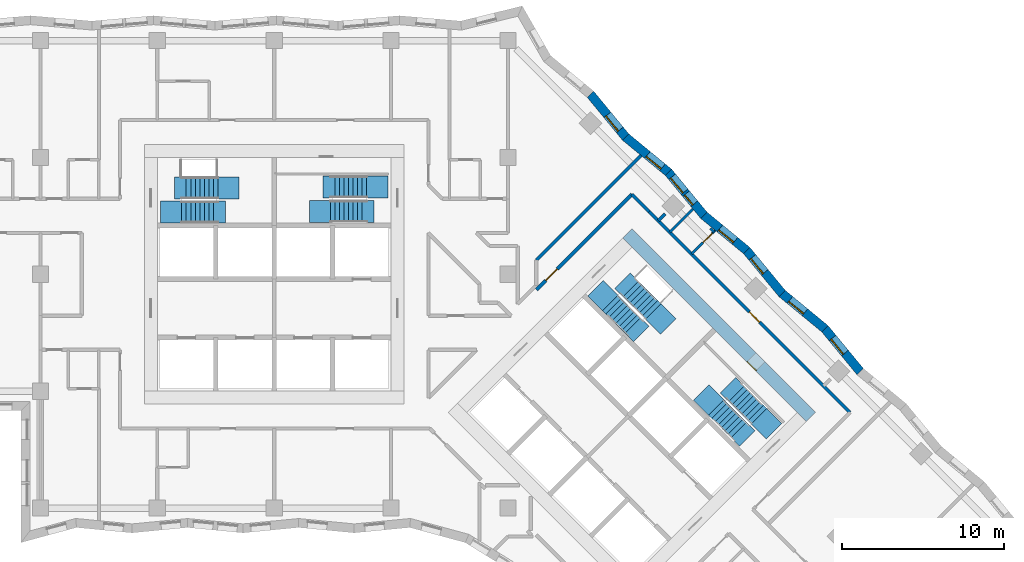
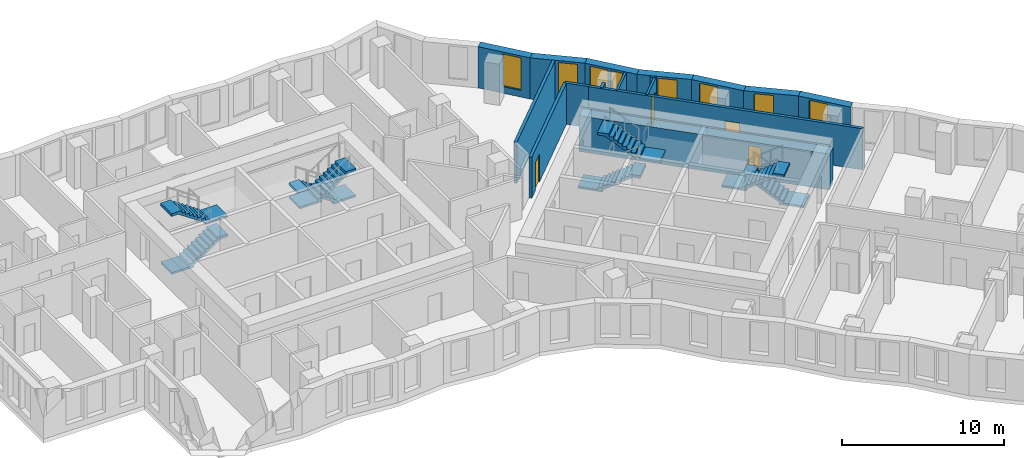
# One storey, part 10 of 12: 16 walls, 8 stair flights, 8 windows, 4 doors, 12 openings, 4 elements without a shape of their own.
"""IFC4 building model written with IfcOpenShell, lengths in metres."""

from ifc_helpers import new_model, si_unit, direction, frame, frame_2d, origin, place, context, subcontext, project, spatial, polyline, rectangle, outline, extrude, material, layer, layer_set, type_object, element, fill, aggregate, save


model = new_model("IFC4")

# Units and contexts
model_context = context("Model", 3, precision=1e-05, world=origin(), true_north=direction((0.0, 1.0)))
body_context = subcontext(model_context, "Body", "Model", "MODEL_VIEW")
ifc_project = project(units=[si_unit("LENGTHUNIT", "METRE"), si_unit("AREAUNIT", "SQUARE_METRE"), si_unit("VOLUMEUNIT", "CUBIC_METRE"), si_unit("PLANEANGLEUNIT", "RADIAN"), si_unit("MASSUNIT", "GRAM", prefix="KILO")], contexts=[model_context])

# Site, building, storey
site_placement = place(None, origin())
site = spatial("IfcSite", under=ifc_project, at=site_placement, CompositionType="ELEMENT")
building_placement = place(site_placement, origin())
building = spatial("IfcBuilding", under=site, at=building_placement, Name="Windrow Commons", CompositionType="ELEMENT")
storey_placement = place(building_placement, frame((0.0, 0.0, 84.6)))
storey = spatial("IfcBuildingStorey", under=building, at=storey_placement, Name="L22", CompositionType="ELEMENT", Elevation=84.6)

# Wall, opening, window
ifc_material_1 = material(Name="Brick masonry, red clay brick", Category="masonry")
ifc_layer_1 = layer(ifc_material_1, 0.55)
ifc_layer_set_1 = layer_set([ifc_layer_1], Name="Brick facade wall 550")
wall_type_1 = type_object("IfcWallType", Name="Brick facade wall 550", PredefinedType="SOLIDWALL", material=ifc_layer_set_1)
wall_1_placement = place(storey_placement, frame((100.9042, 51.6021, 0.0), z_axis=(0.0, 0.0, 1.0), x_axis=(-0.6356171067, 0.7720044648, 0.0)))
wall_1 = element("IfcWall", 1, at=wall_1_placement, inside=storey, type_object=wall_type_1, Name="Brick facade wall L22 12", PredefinedType="SOLIDWALL", context=body_context, shape_type="SweptSolid", body=[
    extrude(outline(polyline([(0.0266, -0.275), (3.4485, -0.275), (3.3952, 0.275), (-0.0266, 0.275), (0.0266, -0.275)])), origin(), (0.0, 0.0, 1.0), 3.1),
])
opening_1_placement = place(wall_1_placement, frame((1.4852, 0.0, 0.5)))
opening_1 = element("IfcOpeningElement", 2, at=opening_1_placement, cuts=wall_1, Name="Opening W7D", PredefinedType="OPENING", context=body_context, shape_type="SweptSolid", body=[
    extrude(rectangle(XDim=1.2, YDim=2.45, at=frame_2d((0.6, 1.225))), frame((0.0, 0.285, 0.0), z_axis=(0.0, -1.0, 0.0), x_axis=(1.0, 0.0, 0.0)), (0.0, 0.0, 1.0), 0.57),
])
ifc_material_2 = material(Name="Clear float glass in anodised aluminium frame", Category="aluminium")
window_type_1 = type_object("IfcWindowType", Name="Window W7 notch 1200x2450", PartitioningType="SINGLE_PANEL", PredefinedType="WINDOW", material=ifc_material_2)
window_1_placement = place(opening_1_placement, origin())
window_1 = element("IfcWindow", 3, at=window_1_placement, inside=storey, type_object=window_type_1, Name="Window L22 12.1", OverallHeight=2.45, OverallWidth=1.2, PartitioningType="SINGLE_PANEL", PredefinedType="WINDOW", context=body_context, shape_type="SweptSolid", body=[
    extrude(rectangle(XDim=1.2, YDim=2.45, at=frame_2d((0.6, 1.225))), frame((0.0, 0.155, 0.0), z_axis=(0.0, -1.0, 0.0), x_axis=(1.0, 0.0, 0.0)), (0.0, 0.0, 1.0), 0.06),
])
fill(opening_1, window_1)

wall_2_placement = place(storey_placement, frame((98.7292, 54.2438, 0.0), z_axis=(0.0, 0.0, 1.0), x_axis=(-0.7720044648, 0.6356171067, 0.0)))
wall_2 = element("IfcWall", 4, at=wall_2_placement, inside=storey, type_object=wall_type_1, Name="Brick facade wall L22 13", PredefinedType="SOLIDWALL", context=body_context, shape_type="SweptSolid", body=[
    extrude(outline(polyline([(-0.0266, -0.275), (3.3952, -0.275), (3.4485, 0.275), (0.0266, 0.275), (-0.0266, -0.275)])), origin(), (0.0, 0.0, 1.0), 3.1),
])
opening_2_placement = place(wall_2_placement, frame((1.596, 0.0, 0.5)))
opening_2 = element("IfcOpeningElement", 5, at=opening_2_placement, cuts=wall_2, Name="Opening W7D", PredefinedType="OPENING", context=body_context, shape_type="SweptSolid", body=[
    extrude(rectangle(XDim=1.2, YDim=2.45, at=frame_2d((0.6, 1.225))), frame((0.0, 0.285, 0.0), z_axis=(0.0, -1.0, 0.0), x_axis=(1.0, 0.0, 0.0)), (0.0, 0.0, 1.0), 0.57),
])
window_2_placement = place(opening_2_placement, origin())
window_2 = element("IfcWindow", 6, at=window_2_placement, inside=storey, type_object=window_type_1, Name="Window L22 13.1", OverallHeight=2.45, OverallWidth=1.2, PartitioningType="SINGLE_PANEL", PredefinedType="WINDOW", context=body_context, shape_type="SweptSolid", body=[
    extrude(rectangle(XDim=1.2, YDim=2.45, at=frame_2d((0.6, 1.225))), frame((0.0, 0.155, 0.0), z_axis=(0.0, -1.0, 0.0), x_axis=(1.0, 0.0, 0.0)), (0.0, 0.0, 1.0), 0.06),
])
fill(opening_2, window_2)

wall_3_placement = place(storey_placement, frame((96.0875, 56.4188, 0.0), z_axis=(0.0, 0.0, 1.0), x_axis=(-0.6356140296, 0.7720069983, 0.0)))
wall_3 = element("IfcWall", 7, at=wall_3_placement, inside=storey, type_object=wall_type_1, Name="Brick facade wall L22 14", PredefinedType="SOLIDWALL", context=body_context, shape_type="SweptSolid", body=[
    extrude(outline(polyline([(0.0266, -0.275), (3.4485, -0.275), (3.3952, 0.275), (-0.0266, 0.275), (0.0266, -0.275)])), origin(), (0.0, 0.0, 1.0), 3.1),
])
opening_3_placement = place(wall_3_placement, frame((1.6802, 0.0, 0.5)))
opening_3 = element("IfcOpeningElement", 8, at=opening_3_placement, cuts=wall_3, Name="Opening W7D", PredefinedType="OPENING", context=body_context, shape_type="SweptSolid", body=[
    extrude(rectangle(XDim=1.2, YDim=2.45, at=frame_2d((0.6, 1.225))), frame((0.0, 0.285, 0.0), z_axis=(0.0, -1.0, 0.0), x_axis=(1.0, 0.0, 0.0)), (0.0, 0.0, 1.0), 0.57),
])
window_3_placement = place(opening_3_placement, origin())
window_3 = element("IfcWindow", 9, at=window_3_placement, inside=storey, type_object=window_type_1, Name="Window L22 14.1", OverallHeight=2.45, OverallWidth=1.2, PartitioningType="SINGLE_PANEL", PredefinedType="WINDOW", context=body_context, shape_type="SweptSolid", body=[
    extrude(rectangle(XDim=1.2, YDim=2.45, at=frame_2d((0.6, 1.225))), frame((0.0, 0.155, 0.0), z_axis=(0.0, -1.0, 0.0), x_axis=(1.0, 0.0, 0.0)), (0.0, 0.0, 1.0), 0.06),
])
fill(opening_3, window_3)

wall_4_placement = place(storey_placement, frame((93.9126, 59.0604, 0.0), z_axis=(0.0, 0.0, 1.0), x_axis=(-0.7720044648, 0.6356171067, 0.0)))
wall_4 = element("IfcWall", 10, at=wall_4_placement, inside=storey, type_object=wall_type_1, Name="Brick facade wall L22 15", PredefinedType="SOLIDWALL", context=body_context, shape_type="SweptSolid", body=[
    extrude(outline(polyline([(-0.0266, -0.275), (3.3952, -0.275), (3.4485, 0.275), (0.0266, 0.275), (-0.0266, -0.275)])), origin(), (0.0, 0.0, 1.0), 3.1),
])
opening_4_placement = place(wall_4_placement, frame((0.9411, 0.0, 0.5)))
opening_4 = element("IfcOpeningElement", 11, at=opening_4_placement, cuts=wall_4, Name="Opening W7D", PredefinedType="OPENING", context=body_context, shape_type="SweptSolid", body=[
    extrude(rectangle(XDim=1.2, YDim=2.45, at=frame_2d((0.6, 1.225))), frame((0.0, 0.285, 0.0), z_axis=(0.0, -1.0, 0.0), x_axis=(1.0, 0.0, 0.0)), (0.0, 0.0, 1.0), 0.57),
])
window_4_placement = place(opening_4_placement, origin())
window_4 = element("IfcWindow", 12, at=window_4_placement, inside=storey, type_object=window_type_1, Name="Window L22 15.1", OverallHeight=2.45, OverallWidth=1.2, PartitioningType="SINGLE_PANEL", PredefinedType="WINDOW", context=body_context, shape_type="SweptSolid", body=[
    extrude(rectangle(XDim=1.2, YDim=2.45, at=frame_2d((0.6, 1.225))), frame((0.0, 0.155, 0.0), z_axis=(0.0, -1.0, 0.0), x_axis=(1.0, 0.0, 0.0)), (0.0, 0.0, 1.0), 0.06),
])
fill(opening_4, window_4)

# Wall, openings, windows
wall_5_placement = place(storey_placement, frame((91.2709, 61.2354, 0.0), z_axis=(0.0, 0.0, 1.0), x_axis=(-0.6356171067, 0.7720044648, 0.0)))
wall_5 = element("IfcWall", 13, at=wall_5_placement, inside=storey, type_object=wall_type_1, Name="Brick facade wall L22 16", PredefinedType="SOLIDWALL", context=body_context, shape_type="SweptSolid", body=[
    extrude(outline(polyline([(0.0266, -0.275), (3.4485, -0.275), (3.3952, 0.275), (-0.0266, 0.275), (0.0266, -0.275)])), origin(), (0.0, 0.0, 1.0), 3.1),
])
opening_5_placement = place(wall_5_placement, frame((1.8752, 0.0, 0.5)))
opening_5 = element("IfcOpeningElement", 14, at=opening_5_placement, cuts=wall_5, Name="Opening W7D", PredefinedType="OPENING", context=body_context, shape_type="SweptSolid", body=[
    extrude(rectangle(XDim=1.2, YDim=2.45, at=frame_2d((0.6, 1.225))), frame((0.0, 0.285, 0.0), z_axis=(0.0, -1.0, 0.0), x_axis=(1.0, 0.0, 0.0)), (0.0, 0.0, 1.0), 0.57),
])
opening_6_placement = place(wall_5_placement, frame((0.9246, 0.0, 0.45)))
opening_6 = element("IfcOpeningElement", 15, at=opening_6_placement, cuts=wall_5, Name="Opening W1N", PredefinedType="OPENING", context=body_context, shape_type="SweptSolid", body=[
    extrude(rectangle(XDim=0.8, YDim=2.5, at=frame_2d((0.4, 1.25))), frame((0.0, 0.285, 0.0), z_axis=(0.0, -1.0, 0.0), x_axis=(1.0, 0.0, 0.0)), (0.0, 0.0, 1.0), 0.57),
])
ifc_material_3 = material(Name="Clear float glass in anodised aluminium frame", Category="aluminium")
window_type_2 = type_object("IfcWindowType", Name="Window W1N slit 800x2500", PartitioningType="SINGLE_PANEL", PredefinedType="WINDOW", material=ifc_material_3)
window_5_placement = place(opening_6_placement, origin())
window_5 = element("IfcWindow", 16, at=window_5_placement, inside=storey, type_object=window_type_2, Name="Window L22 16.1A", OverallHeight=2.5, OverallWidth=0.8, PartitioningType="SINGLE_PANEL", PredefinedType="WINDOW", context=body_context, shape_type="SweptSolid", body=[
    extrude(rectangle(XDim=0.8, YDim=2.5, at=frame_2d((0.4, 1.25))), frame((0.0, 0.155, 0.0), z_axis=(0.0, -1.0, 0.0), x_axis=(1.0, 0.0, 0.0)), (0.0, 0.0, 1.0), 0.06),
])
fill(opening_6, window_5)
window_6_placement = place(opening_5_placement, origin())
window_6 = element("IfcWindow", 17, at=window_6_placement, inside=storey, type_object=window_type_1, Name="Window L22 16.2", OverallHeight=2.45, OverallWidth=1.2, PartitioningType="SINGLE_PANEL", PredefinedType="WINDOW", context=body_context, shape_type="SweptSolid", body=[
    extrude(rectangle(XDim=1.2, YDim=2.45, at=frame_2d((0.6, 1.225))), frame((0.0, 0.155, 0.0), z_axis=(0.0, -1.0, 0.0), x_axis=(1.0, 0.0, 0.0)), (0.0, 0.0, 1.0), 0.06),
])
fill(opening_5, window_6)

# Wall, opening, window
wall_6_placement = place(storey_placement, frame((89.0959, 63.8771, 0.0), z_axis=(0.0, 0.0, 1.0), x_axis=(-0.7719926577, 0.635631447, 0.0)))
wall_6 = element("IfcWall", 18, at=wall_6_placement, inside=storey, type_object=wall_type_1, Name="Brick facade wall L22 17", PredefinedType="SOLIDWALL", context=body_context, shape_type="SweptSolid", body=[
    extrude(outline(polyline([(-0.0266, -0.275), (3.3952, -0.275), (3.4485, 0.275), (0.0266, 0.275), (-0.0266, -0.275)])), origin(), (0.0, 0.0, 1.0), 3.1),
])
opening_7_placement = place(wall_6_placement, frame((0.4885, 0.0, 0.5)))
opening_7 = element("IfcOpeningElement", 19, at=opening_7_placement, cuts=wall_6, Name="Opening W7D", PredefinedType="OPENING", context=body_context, shape_type="SweptSolid", body=[
    extrude(rectangle(XDim=1.2, YDim=2.45, at=frame_2d((0.6, 1.225))), frame((0.0, 0.285, 0.0), z_axis=(0.0, -1.0, 0.0), x_axis=(1.0, 0.0, 0.0)), (0.0, 0.0, 1.0), 0.57),
])
window_7_placement = place(opening_7_placement, origin())
window_7 = element("IfcWindow", 20, at=window_7_placement, inside=storey, type_object=window_type_1, Name="Window L22 17.1", OverallHeight=2.45, OverallWidth=1.2, PartitioningType="SINGLE_PANEL", PredefinedType="WINDOW", context=body_context, shape_type="SweptSolid", body=[
    extrude(rectangle(XDim=1.2, YDim=2.45, at=frame_2d((0.6, 1.225))), frame((0.0, 0.155, 0.0), z_axis=(0.0, -1.0, 0.0), x_axis=(1.0, 0.0, 0.0)), (0.0, 0.0, 1.0), 0.06),
])
fill(opening_7, window_7)

wall_7_placement = place(storey_placement, frame((86.4543, 66.0521, 0.0), z_axis=(0.0, 0.0, 1.0), x_axis=(-0.635631447, 0.7719926577, 0.0)))
wall_7 = element("IfcWall", 21, at=wall_7_placement, inside=storey, type_object=wall_type_1, Name="Brick facade wall L22 18", PredefinedType="SOLIDWALL", context=body_context, shape_type="SweptSolid", body=[
    extrude(outline(polyline([(0.0266, -0.275), (3.4485, -0.275), (3.3952, 0.275), (-0.0266, 0.275), (0.0266, -0.275)])), origin(), (0.0, 0.0, 1.0), 3.1),
])
opening_8_placement = place(wall_7_placement, frame((0.5727, 0.0, 0.5)))
opening_8 = element("IfcOpeningElement", 22, at=opening_8_placement, cuts=wall_7, Name="Opening W7D", PredefinedType="OPENING", context=body_context, shape_type="SweptSolid", body=[
    extrude(rectangle(XDim=1.2, YDim=2.45, at=frame_2d((0.6, 1.225))), frame((0.0, 0.285, 0.0), z_axis=(0.0, -1.0, 0.0), x_axis=(1.0, 0.0, 0.0)), (0.0, 0.0, 1.0), 0.57),
])
window_8_placement = place(opening_8_placement, origin())
window_8 = element("IfcWindow", 23, at=window_8_placement, inside=storey, type_object=window_type_1, Name="Window L22 18.1", OverallHeight=2.45, OverallWidth=1.2, PartitioningType="SINGLE_PANEL", PredefinedType="WINDOW", context=body_context, shape_type="SweptSolid", body=[
    extrude(rectangle(XDim=1.2, YDim=2.45, at=frame_2d((0.6, 1.225))), frame((0.0, 0.155, 0.0), z_axis=(0.0, -1.0, 0.0), x_axis=(1.0, 0.0, 0.0)), (0.0, 0.0, 1.0), 0.06),
])
fill(opening_8, window_8)

# Wall, opening, door
ifc_material_4 = material(Name="Blockwork partition", Category="masonry")
ifc_layer_2 = layer(ifc_material_4, 0.2)
ifc_layer_set_2 = layer_set([ifc_layer_2], Name="IW-CORRIDOR-200")
wall_type_2 = type_object("IfcWallType", Name="IW-CORRIDOR-200", PredefinedType="PARTITIONING", material=ifc_layer_set_2)
wall_8_placement = place(storey_placement, frame((87.8945, 61.4605, 0.0), z_axis=(0.0, 0.0, 1.0), x_axis=(0.7071067812, -0.7071067812, 0.0)))
wall_8 = element("IfcWall", 24, at=wall_8_placement, inside=storey, type_object=wall_type_2, Name="W-L22-W004", PredefinedType="PARTITIONING", context=body_context, shape_type="SweptSolid", body=[
    extrude(rectangle(XDim=17.4995, YDim=0.2, at=frame_2d((8.7498, 0.0))), origin(), (0.0, 0.0, 1.0), 3.1),
])
opening_9_placement = place(wall_8_placement, frame((8.7345, 0.0, 0.0)))
opening_9 = element("IfcOpeningElement", 25, at=opening_9_placement, cuts=wall_8, Name="Opening D109F", PredefinedType="OPENING", context=body_context, shape_type="SweptSolid", body=[
    extrude(rectangle(XDim=0.9, YDim=2.1, at=frame_2d((0.45, 1.05))), frame((0.0, 0.11, 0.0), z_axis=(0.0, -1.0, 0.0), x_axis=(1.0, 0.0, 0.0)), (0.0, 0.0, 1.0), 0.22),
])
ifc_material_5 = material(Name="Timber door leaf", Category="wood")
door_type_1 = type_object("IfcDoorType", Name="DT-BEDROOM-900", OperationType="SINGLE_SWING_LEFT", PredefinedType="DOOR", material=ifc_material_5)
door_1_placement = place(opening_9_placement, origin())
door_1 = element("IfcDoor", 26, at=door_1_placement, inside=storey, type_object=door_type_1, Name="D-L22-D039", OperationType="SINGLE_SWING_LEFT", OverallHeight=2.1, OverallWidth=0.9, PredefinedType="DOOR", context=body_context, shape_type="SweptSolid", body=[
    extrude(rectangle(XDim=0.9, YDim=2.1, at=frame_2d((0.45, 1.05))), frame((0.0, 0.025, 0.0), z_axis=(0.0, -1.0, 0.0), x_axis=(1.0, 0.0, 0.0)), (0.0, 0.0, 1.0), 0.05),
])
fill(opening_9, door_1)

wall_9_placement = place(storey_placement, frame((80.9512, 56.6408, 0.0), z_axis=(0.0, 0.0, 1.0), x_axis=(0.7071067812, 0.7071067812, 0.0)))
wall_9 = element("IfcWall", 27, at=wall_9_placement, inside=storey, type_object=wall_type_2, Name="W-L22-W011", PredefinedType="PARTITIONING", context=body_context, shape_type="SweptSolid", body=[
    extrude(rectangle(XDim=8.3212, YDim=0.2, at=frame_2d((4.1606, 0.0))), origin(), (0.0, 0.0, 1.0), 3.1),
])
opening_10_placement = place(wall_9_placement, frame((0.8162, 0.0, 0.0)))
opening_10 = element("IfcOpeningElement", 28, at=opening_10_placement, cuts=wall_9, Name="Opening D310F", PredefinedType="OPENING", context=body_context, shape_type="SweptSolid", body=[
    extrude(rectangle(XDim=1.0, YDim=2.1, at=frame_2d((0.5, 1.05))), frame((0.0, 0.11, 0.0), z_axis=(0.0, -1.0, 0.0), x_axis=(1.0, 0.0, 0.0)), (0.0, 0.0, 1.0), 0.22),
])
ifc_material_6 = material(Name="Timber door leaf", Category="wood")
door_type_2 = type_object("IfcDoorType", Name="DT-AMENITY-1000", OperationType="SINGLE_SWING_LEFT", PredefinedType="DOOR", material=ifc_material_6)
door_2_placement = place(opening_10_placement, origin())
door_2 = element("IfcDoor", 29, at=door_2_placement, inside=storey, type_object=door_type_2, Name="D-L22-D038", OperationType="SINGLE_SWING_RIGHT", OverallHeight=2.1, OverallWidth=1.0, PredefinedType="DOOR", context=body_context, shape_type="SweptSolid", body=[
    extrude(rectangle(XDim=1.0, YDim=2.1, at=frame_2d((0.5, 1.05))), frame((0.0, 0.025, 0.0), z_axis=(0.0, -1.0, 0.0), x_axis=(1.0, 0.0, 0.0)), (0.0, 0.0, 1.0), 0.05),
])
fill(opening_10, door_2)

# Wall
wall_10_placement = place(storey_placement, frame((86.838, 62.526, 0.0), z_axis=(0.0, 0.0, 1.0), x_axis=(0.70777292, -0.7064400143, 0.0)))
element("IfcWall", 30, at=wall_10_placement, inside=storey, type_object=wall_type_2, Name="W-L22-W146", PredefinedType="PARTITIONING", context=body_context, shape_type="SweptSolid", body=[
    extrude(rectangle(XDim=1.5005, YDim=0.2, at=frame_2d((0.7502, 0.0))), origin(), (0.0, 0.0, 1.0), 3.1),
])

# Wall, opening, door
ifc_material_7 = material(Name="Blockwork partition", Category="masonry")
ifc_layer_3 = layer(ifc_material_7, 0.15)
ifc_layer_set_3 = layer_set([ifc_layer_3], Name="IW-ENSUITE-150")
wall_type_3 = type_object("IfcWallType", Name="IW-ENSUITE-150", PredefinedType="PARTITIONING", material=ifc_layer_set_3)
wall_11_placement = place(storey_placement, frame((90.5131, 58.8489, 0.0), z_axis=(0.0, 0.0, 1.0), x_axis=(0.7071067812, 0.7071067812, 0.0)))
wall_11 = element("IfcWall", 31, at=wall_11_placement, inside=storey, type_object=wall_type_3, Name="W-L22-W118", PredefinedType="PARTITIONING", context=body_context, shape_type="SweptSolid", body=[
    extrude(rectangle(XDim=2.0587, YDim=0.15, at=frame_2d((1.0293, 0.0))), origin(), (0.0, 0.0, 1.0), 3.1),
])
opening_11_placement = place(wall_11_placement, frame((0.9956, 0.0, 0.0)))
opening_11 = element("IfcOpeningElement", 32, at=opening_11_placement, cuts=wall_11, Name="Opening D208N", PredefinedType="OPENING", context=body_context, shape_type="SweptSolid", body=[
    extrude(rectangle(XDim=0.8, YDim=2.1, at=frame_2d((0.4, 1.05))), frame((0.0, 0.085, 0.0), z_axis=(0.0, -1.0, 0.0), x_axis=(1.0, 0.0, 0.0)), (0.0, 0.0, 1.0), 0.17),
])
ifc_material_8 = material(Name="Timber door leaf", Category="wood")
door_type_3 = type_object("IfcDoorType", Name="DT-ENSUITE-800", OperationType="SINGLE_SWING_LEFT", PredefinedType="DOOR", material=ifc_material_8)
door_3_placement = place(opening_11_placement, origin())
door_3 = element("IfcDoor", 33, at=door_3_placement, inside=storey, type_object=door_type_3, Name="D-L22-D040", OperationType="SINGLE_SWING_RIGHT", OverallHeight=2.1, OverallWidth=0.8, PredefinedType="DOOR", context=body_context, shape_type="SweptSolid", body=[
    extrude(rectangle(XDim=0.8, YDim=2.1, at=frame_2d((0.4, 1.05))), frame((0.0, 0.025, 0.0), z_axis=(0.0, -1.0, 0.0), x_axis=(1.0, 0.0, 0.0)), (0.0, 0.0, 1.0), 0.05),
])
fill(opening_11, door_3)

# Walls
wall_12_placement = place(storey_placement, frame((89.1695, 60.1925, 0.0), z_axis=(0.0, 0.0, 1.0), x_axis=(0.7076512613, 0.7065618815, 0.0)))
element("IfcWall", 34, at=wall_12_placement, inside=storey, type_object=wall_type_3, Name="W-L22-W121", PredefinedType="PARTITIONING", context=body_context, shape_type="SweptSolid", body=[
    extrude(rectangle(XDim=2.0195, YDim=0.15, at=frame_2d((1.0097, 0.0))), origin(), (0.0, 0.0, 1.0), 3.1),
])
wall_13_placement = place(storey_placement, frame((91.6754, 60.4374, 0.0), z_axis=(0.0, 0.0, 1.0), x_axis=(0.7071067812, -0.7071067812, 0.0)))
element("IfcWall", 35, at=wall_13_placement, inside=storey, type_object=wall_type_3, Name="W-L22-W177", PredefinedType="PARTITIONING", context=body_context, shape_type="SweptSolid", body=[
    extrude(rectangle(XDim=0.3026, YDim=0.15, at=frame_2d((0.1513, 0.0))), origin(), (0.0, 0.0, 1.0), 3.1),
])
ifc_material_9 = material(Name="Blockwork partition", Category="masonry")
ifc_layer_4 = layer(ifc_material_9, 0.2)
ifc_layer_set_4 = layer_set([ifc_layer_4], Name="IW-PARTY-200")
wall_type_4 = type_object("IfcWallType", Name="IW-PARTY-200", PredefinedType="PARTITIONING", material=ifc_layer_set_4)
wall_14_placement = place(storey_placement, frame((80.9489, 58.4771, 0.0), z_axis=(0.0, 0.0, 1.0), x_axis=(0.7071122668, 0.7071012955, 0.0)))
element("IfcWall", 36, at=wall_14_placement, inside=storey, type_object=wall_type_4, Name="W-L22-W007", PredefinedType="PARTITIONING", context=body_context, shape_type="SweptSolid", body=[
    extrude(rectangle(XDim=9.1147, YDim=0.2, at=frame_2d((4.5573, 0.0))), origin(), (0.0, 0.0, 1.0), 3.1),
])
wall_15_placement = place(storey_placement, frame((88.4611, 60.9009, 0.0), z_axis=(0.0, 0.0, 1.0), x_axis=(0.7054171665, 0.7087923682, 0.0)))
element("IfcWall", 37, at=wall_15_placement, inside=storey, type_object=wall_type_4, Name="W-L22-W159", PredefinedType="PARTITIONING", context=body_context, shape_type="SweptSolid", body=[
    extrude(rectangle(XDim=0.5926, YDim=0.2, at=frame_2d((0.2963, 0.0))), origin(), (0.0, 0.0, 1.0), 3.1),
])

# Wall, opening, door
ifc_material_10 = material(Name="Concrete C50/60", Category="concrete")
ifc_layer_5 = layer(ifc_material_10, 0.8)
ifc_layer_set_5 = layer_set([ifc_layer_5], Name="RC CORE WALL 800 C50/60")
wall_type_5 = type_object("IfcWallType", Name="RC CORE WALL 800 C50/60", PredefinedType="SHEAR", material=ifc_layer_set_5)
wall_16_placement = place(storey_placement, frame((86.5539, 60.1206, -0.3), z_axis=(0.0, 0.0, 1.0), x_axis=(0.7071067812, -0.7071067812, 0.0)))
wall_16 = element("IfcWall", 38, at=wall_16_placement, inside=storey, type_object=wall_type_5, Name="Core B wall outer-N", PredefinedType="SHEAR", context=body_context, shape_type="SweptSolid", body=[
    extrude(rectangle(XDim=16.0, YDim=0.8, at=frame_2d((8.0, 0.0))), origin(), (0.0, 0.0, 1.0), 2.7),
])
opening_12_placement = place(wall_16_placement, frame((10.8, 0.0, 0.3)))
opening_12 = element("IfcOpeningElement", 39, at=opening_12_placement, cuts=wall_16, Name="Opening D9", PredefinedType="OPENING", context=body_context, shape_type="SweptSolid", body=[
    extrude(rectangle(XDim=0.8, YDim=2.1, at=frame_2d((0.4, 1.05))), frame((0.0, 0.41, 0.0), z_axis=(0.0, -1.0, 0.0), x_axis=(1.0, 0.0, 0.0)), (0.0, 0.0, 1.0), 0.82),
])
ifc_material_11 = material(Name="Steel fire door leaf", Category="steel")
door_type_4 = type_object("IfcDoorType", Name="Riser access door 800", OperationType="SINGLE_SWING_LEFT", PredefinedType="DOOR", material=ifc_material_11)
door_4_placement = place(opening_12_placement, origin())
door_4 = element("IfcDoor", 40, at=door_4_placement, inside=storey, type_object=door_type_4, Name="Riser access door", OperationType="SINGLE_SWING_RIGHT", OverallHeight=2.1, OverallWidth=0.8, PredefinedType="DOOR", context=body_context, shape_type="SweptSolid", body=[
    extrude(rectangle(XDim=0.8, YDim=2.1, at=frame_2d((0.4, 1.05))), frame((0.0, -0.34, 0.0), z_axis=(0.0, -1.0, 0.0), x_axis=(1.0, 0.0, 0.0)), (0.0, 0.0, 1.0), 0.05),
])
fill(opening_12, door_4)

# Stair, stair flights
ifc_material_12 = material(Name="Concrete C40/50", Category="concrete")
stair_type = type_object("IfcStairType", Name="Core stair", PredefinedType="HALF_TURN_STAIR", material=ifc_material_12)
placement = place(storey_placement, origin())
stair_1 = element("IfcStair", 41, at=placement, inside=storey, type_object=stair_type, Name="L22 Exit stair A1 core A", PredefinedType="HALF_TURN_STAIR")
ifc_material_13 = material(Name="Concrete C40/50", Category="concrete")
stair_flight_type = type_object("IfcStairFlightType", Name="Core stair flight", PredefinedType="STRAIGHT", material=ifc_material_13)
stair_flight_1_placement = place(storey_placement, frame((59.1, 61.425, 0.0), z_axis=(0.0, 0.0, 1.0), x_axis=(1.0, 0.0, 0.0)))
stair_flight_1 = element("IfcStairFlight", 42, at=stair_flight_1_placement, type_object=stair_flight_type, Name="ST-A1 flight 1", NumberOfRisers=9, NumberOfTreads=8, PredefinedType="STRAIGHT", RiserHeight=0.188888889, TreadLength=0.28, context=body_context, shape_type="SweptSolid", body=[
    extrude(outline(polyline([(-1.3, -0.15), (-1.3, 0.0), (0.0, 0.0), (0.0, 0.1889), (0.28, 0.1889), (0.28, 0.3778), (0.56, 0.3778), (0.56, 0.5667), (0.84, 0.5667), (0.84, 0.7556), (1.12, 0.7556), (1.12, 0.9444), (1.4, 0.9444), (1.4, 1.1333), (1.68, 1.1333), (1.68, 1.3222), (1.96, 1.3222), (1.96, 1.5111), (2.24, 1.5111), (2.69, 1.5111), (2.69, 1.3111), (2.24, 1.3111), (2.24, 1.3302), (0.2682, 0.0), (0.2682, -0.15), (-1.3, -0.15)])), frame((0.0, 0.675, 0.0), z_axis=(0.0, -1.0, 0.0), x_axis=(1.0, 0.0, 0.0)), (0.0, 0.0, 1.0), 1.35),
])
stair_flight_2_placement = place(storey_placement, frame((61.34, 62.925, 1.7), z_axis=(0.0, 0.0, 1.0), x_axis=(-1.0, 0.0, 0.0)))
stair_flight_2 = element("IfcStairFlight", 43, at=stair_flight_2_placement, type_object=stair_flight_type, Name="ST-A1 flight 2", NumberOfRisers=9, NumberOfTreads=8, PredefinedType="STRAIGHT", RiserHeight=0.188888889, TreadLength=0.28, context=body_context, shape_type="SweptSolid", body=[
    extrude(outline(polyline([(-1.3, -0.15), (-1.3, 0.0), (0.0, 0.0), (0.0, 0.1889), (0.28, 0.1889), (0.28, 0.3778), (0.56, 0.3778), (0.56, 0.5667), (0.84, 0.5667), (0.84, 0.7556), (1.12, 0.7556), (1.12, 0.9444), (1.4, 0.9444), (1.4, 1.1333), (1.68, 1.1333), (1.68, 1.3222), (1.96, 1.3222), (1.96, 1.5111), (2.24, 1.5111), (2.69, 1.5111), (2.69, 1.3111), (2.24, 1.3111), (2.24, 1.3302), (0.2682, 0.0), (0.2682, -0.15), (-1.3, -0.15)])), frame((0.0, 0.675, 0.0), z_axis=(0.0, -1.0, 0.0), x_axis=(1.0, 0.0, 0.0)), (0.0, 0.0, 1.0), 1.35),
])
aggregate(stair_1, [stair_flight_1, stair_flight_2])

stair_2 = element("IfcStair", 44, at=placement, inside=storey, type_object=stair_type, Name="L22 Exit stair A2 core A", PredefinedType="HALF_TURN_STAIR")
stair_flight_3_placement = place(storey_placement, frame((70.5, 62.98, 0.0), z_axis=(0.0, 0.0, 1.0), x_axis=(-1.0, 0.0, 0.0)))
stair_flight_3 = element("IfcStairFlight", 45, at=stair_flight_3_placement, type_object=stair_flight_type, Name="ST-A2 flight 1", NumberOfRisers=9, NumberOfTreads=8, PredefinedType="STRAIGHT", RiserHeight=0.188888889, TreadLength=0.28, context=body_context, shape_type="SweptSolid", body=[
    extrude(outline(polyline([(-1.3, -0.15), (-1.3, 0.0), (0.0, 0.0), (0.0, 0.1889), (0.28, 0.1889), (0.28, 0.3778), (0.56, 0.3778), (0.56, 0.5667), (0.84, 0.5667), (0.84, 0.7556), (1.12, 0.7556), (1.12, 0.9444), (1.4, 0.9444), (1.4, 1.1333), (1.68, 1.1333), (1.68, 1.3222), (1.96, 1.3222), (1.96, 1.5111), (2.24, 1.5111), (2.69, 1.5111), (2.69, 1.3111), (2.24, 1.3111), (2.24, 1.3302), (0.2682, 0.0), (0.2682, -0.15), (-1.3, -0.15)])), frame((0.0, 0.675, 0.0), z_axis=(0.0, -1.0, 0.0), x_axis=(1.0, 0.0, 0.0)), (0.0, 0.0, 1.0), 1.35),
])
stair_flight_4_placement = place(storey_placement, frame((68.26, 61.48, 1.7), z_axis=(0.0, 0.0, 1.0), x_axis=(1.0, 0.0, 0.0)))
stair_flight_4 = element("IfcStairFlight", 46, at=stair_flight_4_placement, type_object=stair_flight_type, Name="ST-A2 flight 2", NumberOfRisers=9, NumberOfTreads=8, PredefinedType="STRAIGHT", RiserHeight=0.188888889, TreadLength=0.28, context=body_context, shape_type="SweptSolid", body=[
    extrude(outline(polyline([(-1.3, -0.15), (-1.3, 0.0), (0.0, 0.0), (0.0, 0.1889), (0.28, 0.1889), (0.28, 0.3778), (0.56, 0.3778), (0.56, 0.5667), (0.84, 0.5667), (0.84, 0.7556), (1.12, 0.7556), (1.12, 0.9444), (1.4, 0.9444), (1.4, 1.1333), (1.68, 1.1333), (1.68, 1.3222), (1.96, 1.3222), (1.96, 1.5111), (2.24, 1.5111), (2.69, 1.5111), (2.69, 1.3111), (2.24, 1.3111), (2.24, 1.3302), (0.2682, 0.0), (0.2682, -0.15), (-1.3, -0.15)])), frame((0.0, 0.675, 0.0), z_axis=(0.0, -1.0, 0.0), x_axis=(1.0, 0.0, 0.0)), (0.0, 0.0, 1.0), 1.35),
])
aggregate(stair_2, [stair_flight_3, stair_flight_4])

stair_3 = element("IfcStair", 47, at=placement, inside=storey, type_object=stair_type, Name="L22 Exit stair B1 core B", PredefinedType="HALF_TURN_STAIR")
stair_flight_5_placement = place(storey_placement, frame((85.5109, 55.8249, 0.0), z_axis=(0.0, 0.0, 1.0), x_axis=(0.7071067812, -0.7071067812, 0.0)))
stair_flight_5 = element("IfcStairFlight", 48, at=stair_flight_5_placement, type_object=stair_flight_type, Name="ST-B1 flight 1", NumberOfRisers=9, NumberOfTreads=8, PredefinedType="STRAIGHT", RiserHeight=0.188888889, TreadLength=0.28, context=body_context, shape_type="SweptSolid", body=[
    extrude(outline(polyline([(-1.3, -0.15), (-1.3, 0.0), (0.0, 0.0), (0.0, 0.1889), (0.28, 0.1889), (0.28, 0.3778), (0.56, 0.3778), (0.56, 0.5667), (0.84, 0.5667), (0.84, 0.7556), (1.12, 0.7556), (1.12, 0.9444), (1.4, 0.9444), (1.4, 1.1333), (1.68, 1.1333), (1.68, 1.3222), (1.96, 1.3222), (1.96, 1.5111), (2.24, 1.5111), (2.69, 1.5111), (2.69, 1.3111), (2.24, 1.3111), (2.24, 1.3302), (0.2682, 0.0), (0.2682, -0.15), (-1.3, -0.15)])), frame((0.0, 0.675, 0.0), z_axis=(0.0, -1.0, 0.0), x_axis=(1.0, 0.0, 0.0)), (0.0, 0.0, 1.0), 1.35),
])
stair_flight_6_placement = place(storey_placement, frame((88.1555, 55.3017, 1.7), z_axis=(0.0, 0.0, 1.0), x_axis=(-0.7071067812, 0.7071067812, 0.0)))
stair_flight_6 = element("IfcStairFlight", 49, at=stair_flight_6_placement, type_object=stair_flight_type, Name="ST-B1 flight 2", NumberOfRisers=9, NumberOfTreads=8, PredefinedType="STRAIGHT", RiserHeight=0.188888889, TreadLength=0.28, context=body_context, shape_type="SweptSolid", body=[
    extrude(outline(polyline([(-1.3, -0.15), (-1.3, 0.0), (0.0, 0.0), (0.0, 0.1889), (0.28, 0.1889), (0.28, 0.3778), (0.56, 0.3778), (0.56, 0.5667), (0.84, 0.5667), (0.84, 0.7556), (1.12, 0.7556), (1.12, 0.9444), (1.4, 0.9444), (1.4, 1.1333), (1.68, 1.1333), (1.68, 1.3222), (1.96, 1.3222), (1.96, 1.5111), (2.24, 1.5111), (2.69, 1.5111), (2.69, 1.3111), (2.24, 1.3111), (2.24, 1.3302), (0.2682, 0.0), (0.2682, -0.15), (-1.3, -0.15)])), frame((0.0, 0.675, 0.0), z_axis=(0.0, -1.0, 0.0), x_axis=(1.0, 0.0, 0.0)), (0.0, 0.0, 1.0), 1.35),
])
aggregate(stair_3, [stair_flight_5, stair_flight_6])

stair_4 = element("IfcStair", 50, at=placement, inside=storey, type_object=stair_type, Name="L22 Exit stair B2 core B", PredefinedType="HALF_TURN_STAIR")
stair_flight_7_placement = place(storey_placement, frame((94.6715, 48.8635, 0.0), z_axis=(0.0, 0.0, 1.0), x_axis=(-0.7071067812, 0.7071067812, 0.0)))
stair_flight_7 = element("IfcStairFlight", 51, at=stair_flight_7_placement, type_object=stair_flight_type, Name="ST-B2 flight 1", NumberOfRisers=9, NumberOfTreads=8, PredefinedType="STRAIGHT", RiserHeight=0.188888889, TreadLength=0.28, context=body_context, shape_type="SweptSolid", body=[
    extrude(outline(polyline([(-1.3, -0.15), (-1.3, 0.0), (0.0, 0.0), (0.0, 0.1889), (0.28, 0.1889), (0.28, 0.3778), (0.56, 0.3778), (0.56, 0.5667), (0.84, 0.5667), (0.84, 0.7556), (1.12, 0.7556), (1.12, 0.9444), (1.4, 0.9444), (1.4, 1.1333), (1.68, 1.1333), (1.68, 1.3222), (1.96, 1.3222), (1.96, 1.5111), (2.24, 1.5111), (2.69, 1.5111), (2.69, 1.3111), (2.24, 1.3111), (2.24, 1.3302), (0.2682, 0.0), (0.2682, -0.15), (-1.3, -0.15)])), frame((0.0, 0.675, 0.0), z_axis=(0.0, -1.0, 0.0), x_axis=(1.0, 0.0, 0.0)), (0.0, 0.0, 1.0), 1.35),
])
stair_flight_8_placement = place(storey_placement, frame((92.0269, 49.3867, 1.7), z_axis=(0.0, 0.0, 1.0), x_axis=(0.7071067812, -0.7071067812, 0.0)))
stair_flight_8 = element("IfcStairFlight", 52, at=stair_flight_8_placement, type_object=stair_flight_type, Name="ST-B2 flight 2", NumberOfRisers=9, NumberOfTreads=8, PredefinedType="STRAIGHT", RiserHeight=0.188888889, TreadLength=0.28, context=body_context, shape_type="SweptSolid", body=[
    extrude(outline(polyline([(-1.3, -0.15), (-1.3, 0.0), (0.0, 0.0), (0.0, 0.1889), (0.28, 0.1889), (0.28, 0.3778), (0.56, 0.3778), (0.56, 0.5667), (0.84, 0.5667), (0.84, 0.7556), (1.12, 0.7556), (1.12, 0.9444), (1.4, 0.9444), (1.4, 1.1333), (1.68, 1.1333), (1.68, 1.3222), (1.96, 1.3222), (1.96, 1.5111), (2.24, 1.5111), (2.69, 1.5111), (2.69, 1.3111), (2.24, 1.3111), (2.24, 1.3302), (0.2682, 0.0), (0.2682, -0.15), (-1.3, -0.15)])), frame((0.0, 0.675, 0.0), z_axis=(0.0, -1.0, 0.0), x_axis=(1.0, 0.0, 0.0)), (0.0, 0.0, 1.0), 1.35),
])
aggregate(stair_4, [stair_flight_7, stair_flight_8])

save(model, "model.ifc")
